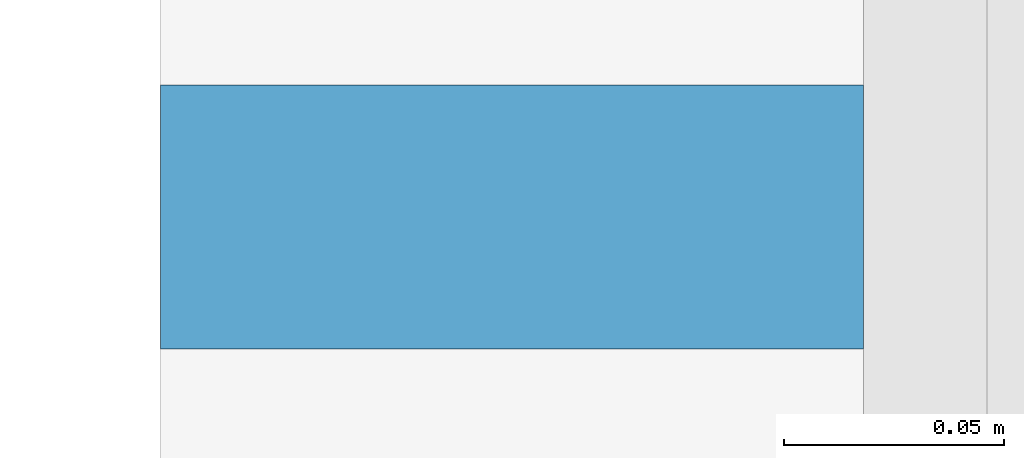
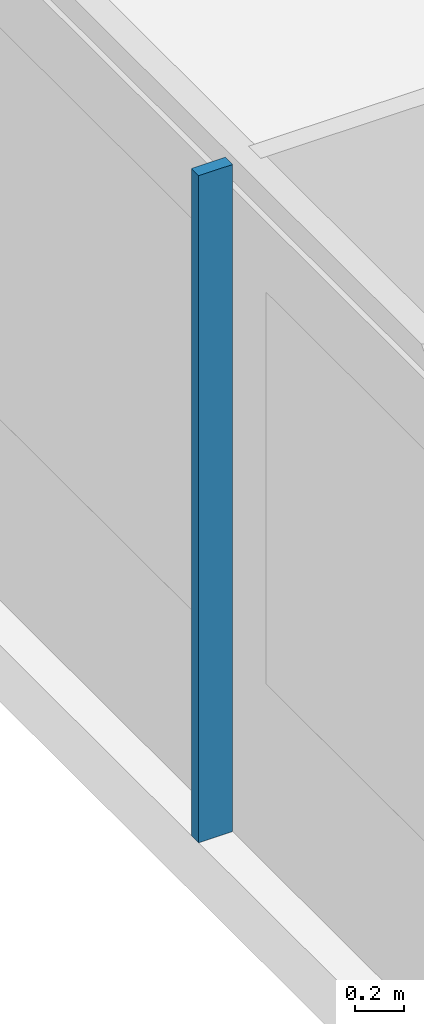
# One storey, part 4 of 30: 1 member, 1 element without a shape of its own.
"""IFC4 building model written with IfcOpenShell, lengths in metres."""

from ifc_helpers import new_model, si_unit, direction, frame, origin, origin_2d, place, context, subcontext, project, spatial, rectangle, extrude, material, material_profile, profile_set, type_object, element, aggregate, save


model = new_model("IFC4")

# Units and contexts
model_context = context("Model", 3, precision=1e-05, world=origin(), true_north=direction((0.0, 1.0)))
body_context = subcontext(model_context, "Body", "Model", "MODEL_VIEW")
ifc_project = project(units=[si_unit("LENGTHUNIT", "METRE"), si_unit("AREAUNIT", "SQUARE_METRE"), si_unit("VOLUMEUNIT", "CUBIC_METRE"), si_unit("PLANEANGLEUNIT", "RADIAN"), si_unit("MASSUNIT", "GRAM", prefix="KILO")], contexts=[model_context])

# Site, building, storey
site_placement = place(None, origin())
site = spatial("IfcSite", under=ifc_project, at=site_placement, CompositionType="ELEMENT")
building_placement = place(site_placement, origin())
building = spatial("IfcBuilding", under=site, at=building_placement, Name="Saffron Gate Tower", CompositionType="ELEMENT")
storey_placement = place(building_placement, frame((0.0, 0.0, 237.89990234375)))
storey = spatial("IfcBuildingStorey", under=building, at=storey_placement, Name="L58", CompositionType="ELEMENT", Elevation=237.89990234375)

# Curtain wall, member
ifc_material = material(Name="Aluminium, bronze anodised", Category="aluminium")
curtain_wall_type = type_object("IfcCurtainWallType", Name="CWS2 curtain wall side facades", PredefinedType="NOTDEFINED", material=ifc_material)
curtain_wall_placement = place(storey_placement, origin())
curtain_wall = element("IfcCurtainWall", 1, at=curtain_wall_placement, inside=storey, type_object=curtain_wall_type, Name="CWS2 run 10", PredefinedType="NOTDEFINED")
ifc_material_profile = material_profile(ifc_material, rectangle(XDim=0.159912109375, YDim=0.06005859375, at=origin_2d()))
ifc_profile_set = profile_set([ifc_material_profile], Name="Aluminium, bronze anodised")
member_type = type_object("IfcMemberType", Name="CWS2 mullion 60x160", PredefinedType="MULLION", material=ifc_profile_set)
member_placement = place(storey_placement, frame((48.080078125, 48.60009765625, 0.0), z_axis=(0.0, 0.0, 1.0), x_axis=(1.0, 0.0, 0.0)))
member = element("IfcMember", 2, at=member_placement, type_object=member_type, Name="CWS2 mullion 4", PredefinedType="MULLION", context=body_context, shape_type="SweptSolid", body=[
    extrude(rectangle(XDim=0.159912109375, YDim=0.06005859375, at=origin_2d()), origin(), (0.0, 0.0, 1.0), 3.320068359375),
])
aggregate(curtain_wall, [member])

save(model, "model.ifc")
